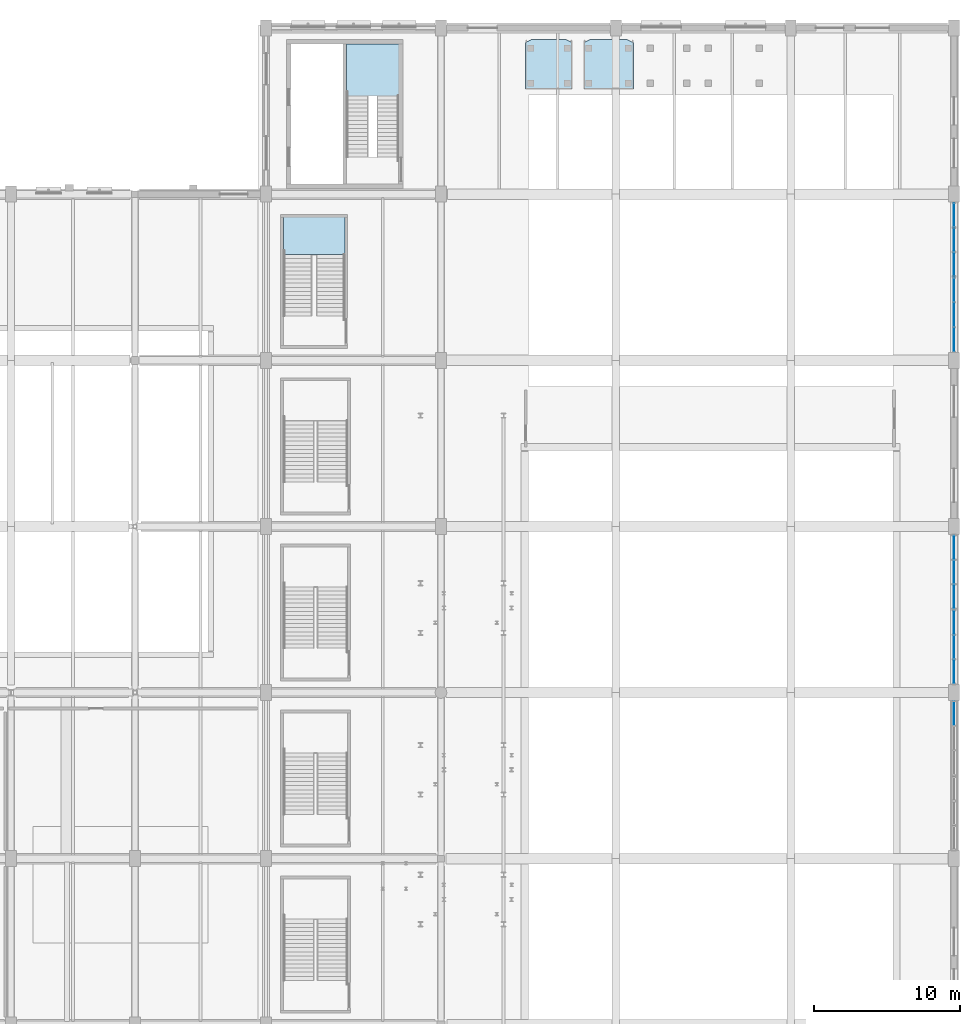
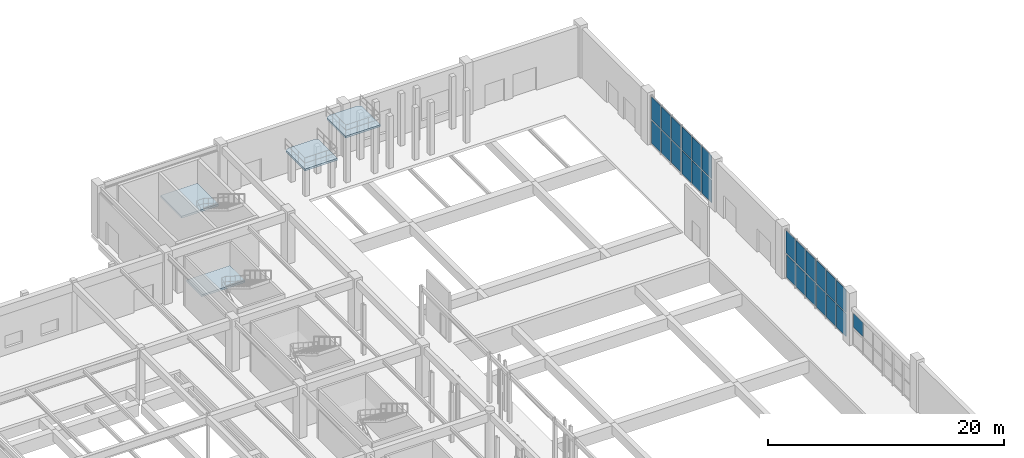
# One storey, part 78 of 113: 25 plates, 4 slabs, 7 elements without a shape of their own.
"""IFC4 building model written with IfcOpenShell, lengths in metres."""

from ifc_helpers import new_model, si_unit, direction, frame, origin, origin_2d, place, context, subcontext, project, spatial, polyline, rectangle, outline, extrude, material, layer, layer_set, type_object, element, aggregate, save


model = new_model("IFC4")

# Units and contexts
model_context = context("Model", 3, precision=1e-05, world=origin(), true_north=direction((0.0, 1.0)))
body_context = subcontext(model_context, "Body", "Model", "MODEL_VIEW")
ifc_project = project(units=[si_unit("LENGTHUNIT", "METRE"), si_unit("AREAUNIT", "SQUARE_METRE"), si_unit("VOLUMEUNIT", "CUBIC_METRE"), si_unit("PLANEANGLEUNIT", "RADIAN"), si_unit("MASSUNIT", "GRAM", prefix="KILO"), si_unit("POWERUNIT", "WATT"), si_unit("THERMODYNAMICTEMPERATUREUNIT", "KELVIN")], contexts=[model_context])

# Site, building, storey
site_placement = place(None, origin())
site = spatial("IfcSite", under=ifc_project, at=site_placement, CompositionType="ELEMENT")
building_placement = place(site_placement, origin())
building = spatial("IfcBuilding", under=site, at=building_placement, Name="Kelmbourne Parkland Aquatics Centre", CompositionType="ELEMENT")
storey_placement = place(building_placement, origin())
storey = spatial("IfcBuildingStorey", under=building, at=storey_placement, Name="L00", CompositionType="ELEMENT", Elevation=0.0)

# Curtain wall, plate
ifc_material_1 = material(Name="Thermally broken anodised aluminium framing", Category="aluminium")
ifc_layer_1 = layer(ifc_material_1, 0.179931640625)
ifc_layer_set_1 = layer_set([ifc_layer_1], Name="Thermally broken anodised aluminium framing")
curtain_wall_type_1 = type_object("IfcCurtainWallType", Name="CW-02", PredefinedType="NOTDEFINED", material=ifc_layer_set_1)
curtain_wall_1_placement = place(storey_placement, origin())
curtain_wall_1 = element("IfcCurtainWall", 1, at=curtain_wall_1_placement, inside=storey, type_object=curtain_wall_type_1, Name="Facade curtain wall CW-L00-050", PredefinedType="NOTDEFINED")
ifc_material_2 = material(Name="Double-glazed low-e laminated safety glass", Category="glass")
ifc_layer_2 = layer(ifc_material_2, 0.02392578125)
ifc_layer_set_2 = layer_set([ifc_layer_2], Name="Double-glazed low-e laminated safety glass")
plate_type_1 = type_object("IfcPlateType", Name="PL-CWP-1", PredefinedType="CURTAIN_PANEL", material=ifc_layer_set_2)
plate_1_placement = place(storey_placement, frame((175.199951171875, 67.768310546875, 1.82666015625), z_axis=(0.0, 0.0, 1.0), x_axis=(0.0, 1.0, 0.0)))
plate_1 = element("IfcPlate", 2, at=plate_1_placement, type_object=plate_type_1, Name="CW-L00-050 vision glazing 1-2", PredefinedType="CURTAIN_PANEL", context=body_context, shape_type="SweptSolid", body=[
    extrude(rectangle(XDim=1.641357421875, YDim=0.02392578125, at=origin_2d()), origin(), (0.0, 0.0, 1.0), 1.4814453125),
])
aggregate(curtain_wall_1, [plate_1])

# Curtain wall, plates
ifc_layer_3 = layer(ifc_material_1, 0.179931640625)
ifc_layer_set_3 = layer_set([ifc_layer_3], Name="Thermally broken anodised aluminium framing")
curtain_wall_type_2 = type_object("IfcCurtainWallType", Name="CW-09", PredefinedType="NOTDEFINED", material=ifc_layer_set_3)
curtain_wall_2_placement = place(storey_placement, origin())
curtain_wall_2 = element("IfcCurtainWall", 3, at=curtain_wall_2_placement, inside=storey, type_object=curtain_wall_type_2, Name="Facade curtain wall CW-L00-057", PredefinedType="NOTDEFINED")
plate_2_placement = place(storey_placement, frame((175.199951171875, 70.63818359375, 0.116943359375), z_axis=(0.0, 0.0, 1.0), x_axis=(0.0, 1.0, 0.0)))
plate_2 = element("IfcPlate", 4, at=plate_2_placement, type_object=plate_type_1, Name="CW-L00-057 vision glazing 0-0", PredefinedType="CURTAIN_PANEL", context=body_context, shape_type="SweptSolid", body=[
    extrude(rectangle(XDim=1.61474609375, YDim=0.02392578125, at=origin_2d()), origin(), (0.0, 0.0, 1.0), 2.37890625),
])
plate_3_placement = place(storey_placement, frame((175.199951171875, 72.325927734375, 0.116943359375), z_axis=(0.0, 0.0, 1.0), x_axis=(0.0, 1.0, 0.0)))
plate_3 = element("IfcPlate", 5, at=plate_3_placement, type_object=plate_type_1, Name="CW-L00-057 vision glazing 0-1", PredefinedType="CURTAIN_PANEL", context=body_context, shape_type="SweptSolid", body=[
    extrude(rectangle(XDim=1.614501953125, YDim=0.02392578125, at=origin_2d()), origin(), (0.0, 0.0, 1.0), 2.37890625),
])
plate_4_placement = place(storey_placement, frame((175.199951171875, 74.013671875, 0.116943359375), z_axis=(0.0, 0.0, 1.0), x_axis=(0.0, 1.0, 0.0)))
plate_4 = element("IfcPlate", 6, at=plate_4_placement, type_object=plate_type_1, Name="CW-L00-057 vision glazing 0-2", PredefinedType="CURTAIN_PANEL", context=body_context, shape_type="SweptSolid", body=[
    extrude(rectangle(XDim=1.61474609375, YDim=0.02392578125, at=origin_2d()), origin(), (0.0, 0.0, 1.0), 2.37890625),
])

curtain_wall_3_placement = place(storey_placement, origin())
curtain_wall_3 = element("IfcCurtainWall", 7, at=curtain_wall_3_placement, inside=storey, type_object=curtain_wall_type_2, Name="Facade curtain wall CW-L00-081", PredefinedType="NOTDEFINED")
plate_5_placement = place(storey_placement, frame((175.199951171875, 93.43505859375, 0.116943359375), z_axis=(0.0, 0.0, 1.0), x_axis=(0.0, 1.0, 0.0)))
plate_5 = element("IfcPlate", 8, at=plate_5_placement, type_object=plate_type_1, Name="CW-L00-081 vision glazing 0-0", PredefinedType="CURTAIN_PANEL", context=body_context, shape_type="SweptSolid", body=[
    extrude(rectangle(XDim=1.6279296875, YDim=0.02392578125, at=origin_2d()), origin(), (0.0, 0.0, 1.0), 2.37890625),
])
plate_6_placement = place(storey_placement, frame((175.199951171875, 95.1259765625, 0.116943359375), z_axis=(0.0, 0.0, 1.0), x_axis=(0.0, 1.0, 0.0)))
plate_6 = element("IfcPlate", 9, at=plate_6_placement, type_object=plate_type_1, Name="CW-L00-081 vision glazing 0-1", PredefinedType="CURTAIN_PANEL", context=body_context, shape_type="SweptSolid", body=[
    extrude(rectangle(XDim=1.6279296875, YDim=0.02392578125, at=origin_2d()), origin(), (0.0, 0.0, 1.0), 2.37890625),
])
plate_7_placement = place(storey_placement, frame((175.199951171875, 96.81689453125, 0.116943359375), z_axis=(0.0, 0.0, 1.0), x_axis=(0.0, 1.0, 0.0)))
plate_7 = element("IfcPlate", 10, at=plate_7_placement, type_object=plate_type_1, Name="CW-L00-081 vision glazing 0-2", PredefinedType="CURTAIN_PANEL", context=body_context, shape_type="SweptSolid", body=[
    extrude(rectangle(XDim=1.6279296875, YDim=0.02392578125, at=origin_2d()), origin(), (0.0, 0.0, 1.0), 2.37890625),
])

# Plate
ifc_layer_4 = layer(ifc_material_2, 0.035888671875)
ifc_layer_set_4 = layer_set([ifc_layer_4], Name="Double-glazed low-e laminated safety glass")
plate_type_2 = type_object("IfcPlateType", Name="PL-CWP-2", PredefinedType="CURTAIN_PANEL", material=ifc_layer_set_4)
plate_8_placement = place(storey_placement, frame((175.199951171875, 70.63818359375, 2.60400390625), z_axis=(0.0, 0.0, 1.0), x_axis=(0.0, 1.0, 0.0)))
plate_8 = element("IfcPlate", 11, at=plate_8_placement, type_object=plate_type_2, Name="CW-L00-057 vision glazing 1-0", PredefinedType="CURTAIN_PANEL", context=body_context, shape_type="SweptSolid", body=[
    extrude(rectangle(XDim=1.61474609375, YDim=0.035888671875, at=origin_2d()), origin(), (0.0, 0.0, 1.0), 2.37890625),
])

plate_9_placement = place(storey_placement, frame((175.199951171875, 72.325927734375, 2.60400390625), z_axis=(0.0, 0.0, 1.0), x_axis=(0.0, 1.0, 0.0)))
plate_9 = element("IfcPlate", 12, at=plate_9_placement, type_object=plate_type_2, Name="CW-L00-057 vision glazing 1-1", PredefinedType="CURTAIN_PANEL", context=body_context, shape_type="SweptSolid", body=[
    extrude(rectangle(XDim=1.614501953125, YDim=0.035888671875, at=origin_2d()), origin(), (0.0, 0.0, 1.0), 2.37890625),
])

plate_10_placement = place(storey_placement, frame((175.199951171875, 74.013671875, 2.60400390625), z_axis=(0.0, 0.0, 1.0), x_axis=(0.0, 1.0, 0.0)))
plate_10 = element("IfcPlate", 13, at=plate_10_placement, type_object=plate_type_2, Name="CW-L00-057 vision glazing 1-2", PredefinedType="CURTAIN_PANEL", context=body_context, shape_type="SweptSolid", body=[
    extrude(rectangle(XDim=1.61474609375, YDim=0.035888671875, at=origin_2d()), origin(), (0.0, 0.0, 1.0), 2.37890625),
])

aggregate(curtain_wall_2, [plate_2, plate_3, plate_4, plate_8, plate_9, plate_10])

# Curtain wall, plates
ifc_layer_5 = layer(ifc_material_1, 0.179931640625)
ifc_layer_set_5 = layer_set([ifc_layer_5], Name="Thermally broken anodised aluminium framing")
curtain_wall_type_3 = type_object("IfcCurtainWallType", Name="CW-10", PredefinedType="NOTDEFINED", material=ifc_layer_set_5)
curtain_wall_4_placement = place(storey_placement, origin())
curtain_wall_4 = element("IfcCurtainWall", 14, at=curtain_wall_4_placement, inside=storey, type_object=curtain_wall_type_3, Name="Facade curtain wall CW-L00-058", PredefinedType="NOTDEFINED")
plate_11_placement = place(storey_placement, frame((175.199951171875, 75.789794921875, 0.14697265625), z_axis=(0.0, 0.0, 1.0), x_axis=(0.0, 1.0, 0.0)))
plate_11 = element("IfcPlate", 15, at=plate_11_placement, type_object=plate_type_2, Name="CW-L00-058 vision glazing 0-0", PredefinedType="CURTAIN_PANEL", context=body_context, shape_type="SweptSolid", body=[
    extrude(rectangle(XDim=1.601318359375, YDim=0.035888671875, at=origin_2d()), origin(), (0.0, 0.0, 1.0), 2.333984375),
])
plate_12_placement = place(storey_placement, frame((175.199951171875, 77.47412109375, 0.14697265625), z_axis=(0.0, 0.0, 1.0), x_axis=(0.0, 1.0, 0.0)))
plate_12 = element("IfcPlate", 16, at=plate_12_placement, type_object=plate_type_2, Name="CW-L00-058 vision glazing 0-1", PredefinedType="CURTAIN_PANEL", context=body_context, shape_type="SweptSolid", body=[
    extrude(rectangle(XDim=1.601318359375, YDim=0.035888671875, at=origin_2d()), origin(), (0.0, 0.0, 1.0), 2.333984375),
])
plate_13_placement = place(storey_placement, frame((175.199951171875, 79.158447265625, 0.14697265625), z_axis=(0.0, 0.0, 1.0), x_axis=(0.0, 1.0, 0.0)))
plate_13 = element("IfcPlate", 17, at=plate_13_placement, type_object=plate_type_2, Name="CW-L00-058 vision glazing 0-2", PredefinedType="CURTAIN_PANEL", context=body_context, shape_type="SweptSolid", body=[
    extrude(rectangle(XDim=1.601318359375, YDim=0.035888671875, at=origin_2d()), origin(), (0.0, 0.0, 1.0), 2.333984375),
])

# Plate
plate_14_placement = place(storey_placement, frame((175.199951171875, 93.43505859375, 2.60400390625), z_axis=(0.0, 0.0, 1.0), x_axis=(0.0, 1.0, 0.0)))
plate_14 = element("IfcPlate", 18, at=plate_14_placement, type_object=plate_type_2, Name="CW-L00-081 vision glazing 1-0", PredefinedType="CURTAIN_PANEL", context=body_context, shape_type="SweptSolid", body=[
    extrude(rectangle(XDim=1.6279296875, YDim=0.035888671875, at=origin_2d()), origin(), (0.0, 0.0, 1.0), 2.37890625),
])

plate_15_placement = place(storey_placement, frame((175.199951171875, 95.1259765625, 2.60400390625), z_axis=(0.0, 0.0, 1.0), x_axis=(0.0, 1.0, 0.0)))
plate_15 = element("IfcPlate", 19, at=plate_15_placement, type_object=plate_type_2, Name="CW-L00-081 vision glazing 1-1", PredefinedType="CURTAIN_PANEL", context=body_context, shape_type="SweptSolid", body=[
    extrude(rectangle(XDim=1.6279296875, YDim=0.035888671875, at=origin_2d()), origin(), (0.0, 0.0, 1.0), 2.37890625),
])

plate_16_placement = place(storey_placement, frame((175.199951171875, 96.81689453125, 2.60400390625), z_axis=(0.0, 0.0, 1.0), x_axis=(0.0, 1.0, 0.0)))
plate_16 = element("IfcPlate", 20, at=plate_16_placement, type_object=plate_type_2, Name="CW-L00-081 vision glazing 1-2", PredefinedType="CURTAIN_PANEL", context=body_context, shape_type="SweptSolid", body=[
    extrude(rectangle(XDim=1.6279296875, YDim=0.035888671875, at=origin_2d()), origin(), (0.0, 0.0, 1.0), 2.37890625),
])

aggregate(curtain_wall_3, [plate_5, plate_6, plate_7, plate_14, plate_15, plate_16])

# Curtain wall, plates
curtain_wall_5_placement = place(storey_placement, origin())
curtain_wall_5 = element("IfcCurtainWall", 21, at=curtain_wall_5_placement, inside=storey, type_object=curtain_wall_type_3, Name="Facade curtain wall CW-L00-082", PredefinedType="NOTDEFINED")
plate_17_placement = place(storey_placement, frame((175.199951171875, 98.586181640625, 0.14697265625), z_axis=(0.0, 0.0, 1.0), x_axis=(0.0, 1.0, 0.0)))
plate_17 = element("IfcPlate", 22, at=plate_17_placement, type_object=plate_type_2, Name="CW-L00-082 vision glazing 0-0", PredefinedType="CURTAIN_PANEL", context=body_context, shape_type="SweptSolid", body=[
    extrude(rectangle(XDim=1.61474609375, YDim=0.035888671875, at=origin_2d()), origin(), (0.0, 0.0, 1.0), 2.333984375),
])
plate_18_placement = place(storey_placement, frame((175.199951171875, 100.27392578125, 0.14697265625), z_axis=(0.0, 0.0, 1.0), x_axis=(0.0, 1.0, 0.0)))
plate_18 = element("IfcPlate", 23, at=plate_18_placement, type_object=plate_type_2, Name="CW-L00-082 vision glazing 0-1", PredefinedType="CURTAIN_PANEL", context=body_context, shape_type="SweptSolid", body=[
    extrude(rectangle(XDim=1.614501953125, YDim=0.035888671875, at=origin_2d()), origin(), (0.0, 0.0, 1.0), 2.333984375),
])
plate_19_placement = place(storey_placement, frame((175.199951171875, 101.961669921875, 0.14697265625), z_axis=(0.0, 0.0, 1.0), x_axis=(0.0, 1.0, 0.0)))
plate_19 = element("IfcPlate", 24, at=plate_19_placement, type_object=plate_type_2, Name="CW-L00-082 vision glazing 0-2", PredefinedType="CURTAIN_PANEL", context=body_context, shape_type="SweptSolid", body=[
    extrude(rectangle(XDim=1.61474609375, YDim=0.035888671875, at=origin_2d()), origin(), (0.0, 0.0, 1.0), 2.333984375),
])

# Plate
ifc_layer_6 = layer(ifc_material_2, 0.048095703125)
ifc_layer_set_6 = layer_set([ifc_layer_6], Name="Double-glazed low-e laminated safety glass")
plate_type_3 = type_object("IfcPlateType", Name="PL-CWP-3", PredefinedType="CURTAIN_PANEL", material=ifc_layer_set_6)
plate_20_placement = place(storey_placement, frame((175.199951171875, 75.789794921875, 2.618896484375), z_axis=(0.0, 0.0, 1.0), x_axis=(0.0, 1.0, 0.0)))
plate_20 = element("IfcPlate", 25, at=plate_20_placement, type_object=plate_type_3, Name="CW-L00-058 vision glazing 1-0", PredefinedType="CURTAIN_PANEL", context=body_context, shape_type="SweptSolid", body=[
    extrude(rectangle(XDim=1.601318359375, YDim=0.048095703125, at=origin_2d()), origin(), (0.0, 0.0, 1.0), 2.333984375),
])

plate_21_placement = place(storey_placement, frame((175.199951171875, 77.47412109375, 2.618896484375), z_axis=(0.0, 0.0, 1.0), x_axis=(0.0, 1.0, 0.0)))
plate_21 = element("IfcPlate", 26, at=plate_21_placement, type_object=plate_type_3, Name="CW-L00-058 vision glazing 1-1", PredefinedType="CURTAIN_PANEL", context=body_context, shape_type="SweptSolid", body=[
    extrude(rectangle(XDim=1.601318359375, YDim=0.048095703125, at=origin_2d()), origin(), (0.0, 0.0, 1.0), 2.333984375),
])

plate_22_placement = place(storey_placement, frame((175.199951171875, 79.158447265625, 2.618896484375), z_axis=(0.0, 0.0, 1.0), x_axis=(0.0, 1.0, 0.0)))
plate_22 = element("IfcPlate", 27, at=plate_22_placement, type_object=plate_type_3, Name="CW-L00-058 vision glazing 1-2", PredefinedType="CURTAIN_PANEL", context=body_context, shape_type="SweptSolid", body=[
    extrude(rectangle(XDim=1.601318359375, YDim=0.048095703125, at=origin_2d()), origin(), (0.0, 0.0, 1.0), 2.333984375),
])

aggregate(curtain_wall_4, [plate_11, plate_12, plate_13, plate_20, plate_21, plate_22])

plate_23_placement = place(storey_placement, frame((175.199951171875, 98.586181640625, 2.618896484375), z_axis=(0.0, 0.0, 1.0), x_axis=(0.0, 1.0, 0.0)))
plate_23 = element("IfcPlate", 28, at=plate_23_placement, type_object=plate_type_3, Name="CW-L00-082 vision glazing 1-0", PredefinedType="CURTAIN_PANEL", context=body_context, shape_type="SweptSolid", body=[
    extrude(rectangle(XDim=1.61474609375, YDim=0.048095703125, at=origin_2d()), origin(), (0.0, 0.0, 1.0), 2.333984375),
])

plate_24_placement = place(storey_placement, frame((175.199951171875, 100.27392578125, 2.618896484375), z_axis=(0.0, 0.0, 1.0), x_axis=(0.0, 1.0, 0.0)))
plate_24 = element("IfcPlate", 29, at=plate_24_placement, type_object=plate_type_3, Name="CW-L00-082 vision glazing 1-1", PredefinedType="CURTAIN_PANEL", context=body_context, shape_type="SweptSolid", body=[
    extrude(rectangle(XDim=1.614501953125, YDim=0.048095703125, at=origin_2d()), origin(), (0.0, 0.0, 1.0), 2.333984375),
])

plate_25_placement = place(storey_placement, frame((175.199951171875, 101.961669921875, 2.618896484375), z_axis=(0.0, 0.0, 1.0), x_axis=(0.0, 1.0, 0.0)))
plate_25 = element("IfcPlate", 30, at=plate_25_placement, type_object=plate_type_3, Name="CW-L00-082 vision glazing 1-2", PredefinedType="CURTAIN_PANEL", context=body_context, shape_type="SweptSolid", body=[
    extrude(rectangle(XDim=1.61474609375, YDim=0.048095703125, at=origin_2d()), origin(), (0.0, 0.0, 1.0), 2.333984375),
])

aggregate(curtain_wall_5, [plate_17, plate_18, plate_19, plate_23, plate_24, plate_25])

# Slabs
ifc_material_3 = material(Name="Concrete C40/50", Category="concrete")
ifc_layer_7 = layer(ifc_material_3, 0.199951171875)
ifc_layer_set_7 = layer_set([ifc_layer_7], Name="Concrete C40/50")
slab_type_1 = type_object("IfcSlabType", Name="SL-F3", PredefinedType="FLOOR", material=ifc_layer_set_7)
slab_1_placement = place(storey_placement, frame((0.0, 0.0, 2.800048828125)))
element("IfcSlab", 31, at=slab_1_placement, inside=storey, type_object=slab_type_1, Name="Diving 3M platform slab", PredefinedType="FLOOR", context=body_context, shape_type="SweptSolid", body=[
    extrude(outline(polyline([(145.800048828125, 110.60009765625), (149.0, 110.60009765625), (149.0, 113.800048828125), (148.60009765625, 114.0), (146.199951171875, 114.0), (145.800048828125, 113.800048828125), (145.800048828125, 110.60009765625)])), origin(), (0.0, 0.0, 1.0), 0.199951171875),
])
slab_2_placement = place(storey_placement, frame((0.0, 0.0, 4.800048828125)))
element("IfcSlab", 32, at=slab_2_placement, inside=storey, type_object=slab_type_1, Name="Diving 5M platform slab", PredefinedType="FLOOR", context=body_context, shape_type="SweptSolid", body=[
    extrude(outline(polyline([(149.800048828125, 110.60009765625), (153.199951171875, 110.60009765625), (153.199951171875, 113.800048828125), (152.800048828125, 114.0), (150.199951171875, 114.0), (149.800048828125, 113.800048828125), (149.800048828125, 110.60009765625)])), origin(), (0.0, 0.0, 1.0), 0.199951171875),
])

# Stair, slab
stair_type_1 = type_object("IfcStairType", Name="ST-T16", PredefinedType="HALF_TURN_STAIR", material=ifc_material_3)
stair_1_placement = place(storey_placement, origin())
stair_1 = element("IfcStair", 33, at=stair_1_placement, inside=storey, type_object=stair_type_1, Name="North Diving Control Fire-Fighting Core Stair ST05 (L00)", PredefinedType="HALF_TURN_STAIR")
ifc_layer_8 = layer(ifc_material_3, 0.199951171875)
ifc_layer_set_8 = layer_set([ifc_layer_8], Name="Concrete C40/50")
slab_type_2 = type_object("IfcSlabType", Name="SL-LND-20", PredefinedType="LANDING", material=ifc_layer_set_8)
slab_3_placement = place(storey_placement, frame((0.0, 0.0, 2.5)))
slab_3 = element("IfcSlab", 34, at=slab_3_placement, type_object=slab_type_2, Name="North Diving Control Fire-Fighting Core Stair ST05 half-landing (L00)", PredefinedType="LANDING", context=body_context, shape_type="SweptSolid", body=[
    extrude(outline(polyline([(133.5048828125, 110.14990234375), (137.1201171875, 110.14990234375), (137.1201171875, 113.719970703125), (133.5048828125, 113.719970703125), (133.5048828125, 110.14990234375)])), origin(), (0.0, 0.0, 1.0), 0.199951171875),
])
aggregate(stair_1, [slab_3])

stair_type_2 = type_object("IfcStairType", Name="ST-T34", PredefinedType="HALF_TURN_STAIR", material=ifc_material_3)
stair_2_placement = place(storey_placement, origin())
stair_2 = element("IfcStair", 35, at=stair_2_placement, inside=storey, type_object=stair_type_2, Name="Main Bowl North Concourse Exit Stair (L00)", PredefinedType="HALF_TURN_STAIR")
slab_4_placement = place(storey_placement, frame((0.0, 0.0, 2.5)))
slab_4 = element("IfcSlab", 36, at=slab_4_placement, type_object=slab_type_2, Name="Main Bowl North Concourse Exit Stair half-landing (L00)", PredefinedType="LANDING", context=body_context, shape_type="SweptSolid", body=[
    extrude(outline(polyline([(129.179931640625, 99.25), (133.419921875, 99.25), (133.419921875, 101.820068359375), (129.179931640625, 101.820068359375), (129.179931640625, 99.25)])), origin(), (0.0, 0.0, 1.0), 0.199951171875),
])
aggregate(stair_2, [slab_4])

save(model, "model.ifc")
